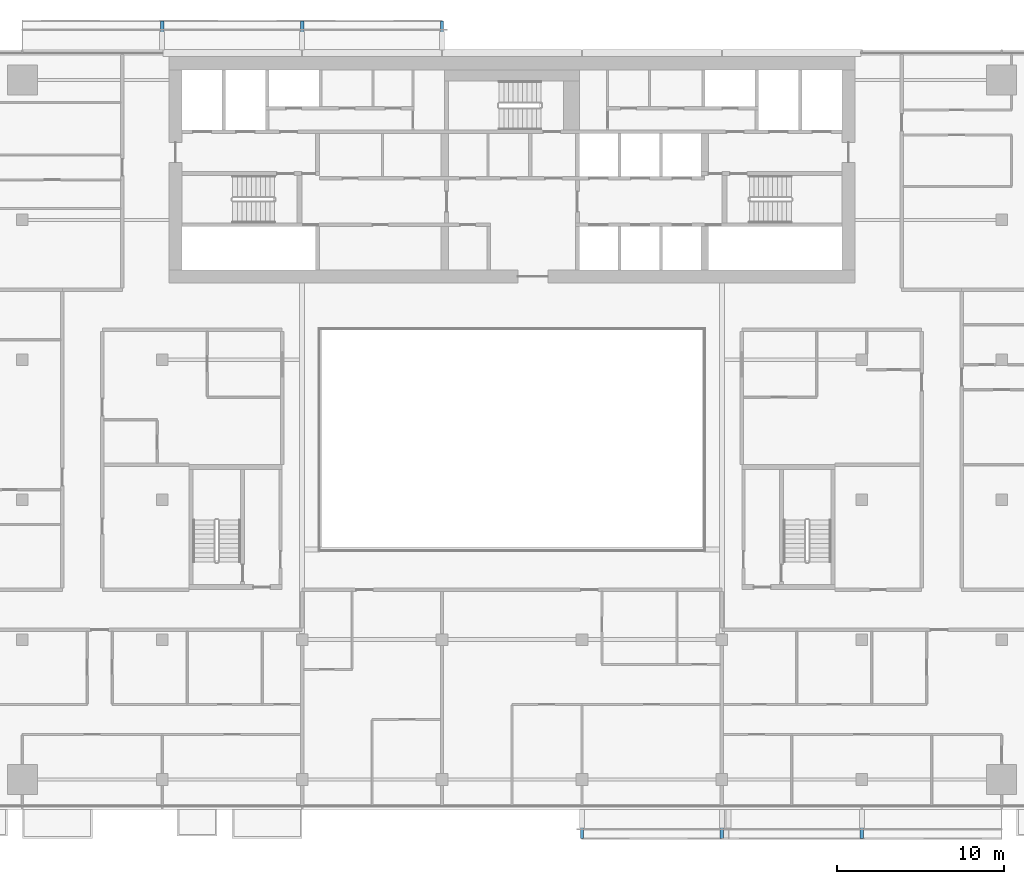
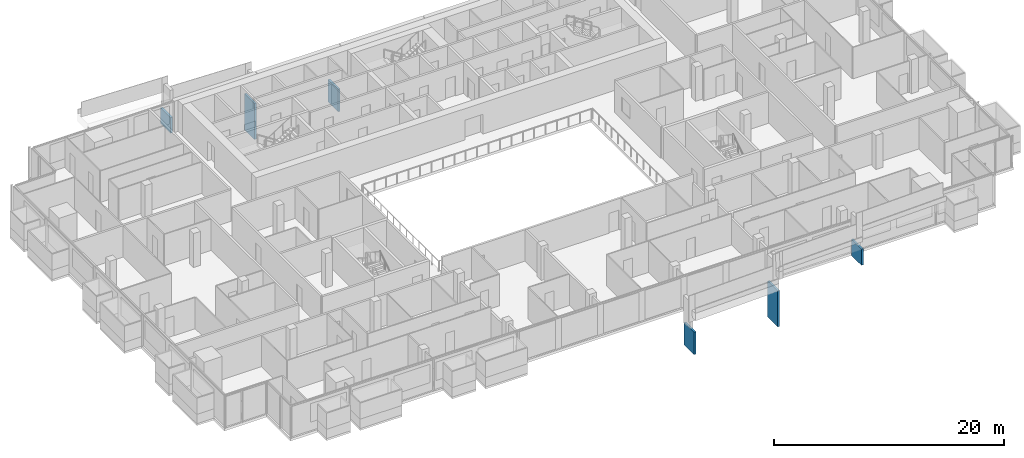
# One storey, part 25 of 28: 6 discrete accessories.
"""IFC4 building model written with IfcOpenShell, lengths in metres."""

from ifc_helpers import new_model, si_unit, direction, frame, origin, origin_2d, place, context, subcontext, project, spatial, rectangle, extrude, element, save


model = new_model("IFC4")

# Units and contexts
model_context = context("Model", 3, precision=1e-05, world=origin(), true_north=direction((0.0, 1.0)))
body_context = subcontext(model_context, "Body", "Model", "MODEL_VIEW")
ifc_project = project(units=[si_unit("LENGTHUNIT", "METRE"), si_unit("AREAUNIT", "SQUARE_METRE"), si_unit("VOLUMEUNIT", "CUBIC_METRE"), si_unit("PLANEANGLEUNIT", "RADIAN"), si_unit("MASSUNIT", "GRAM", prefix="KILO")], contexts=[model_context])

# Site, building, storey
site_placement = place(None, origin())
site = spatial("IfcSite", under=ifc_project, at=site_placement, CompositionType="ELEMENT")
building_placement = place(site_placement, origin())
building = spatial("IfcBuilding", under=site, at=building_placement, Name="Saffron Gate Tower", CompositionType="ELEMENT")
storey_placement = place(building_placement, frame((0.0, 0.0, 154.64990234375)))
storey = spatial("IfcBuildingStorey", under=building, at=storey_placement, Name="L37", CompositionType="ELEMENT", Elevation=154.64990234375)

# Discrete accessories
discrete_accessory_1_placement = place(storey_placement, frame((91.800048828125, 29.125, -3.8798828125), z_axis=(0.0, 0.0, 1.0), x_axis=(1.0, 0.0, 0.0)))
element("IfcDiscreteAccessory", 1, at=discrete_accessory_1_placement, inside=storey, Name="LEDGE rib", PredefinedType="BRACKET", context=body_context, shape_type="SweptSolid", body=[
    extrude(rectangle(XDim=0.199951171875, YDim=1.75, at=origin_2d()), origin(), (0.0, 0.0, 1.0), 2.379150390625),
])
discrete_accessory_2_placement = place(storey_placement, frame((100.199951171875, 29.125, -3.8798828125), z_axis=(0.0, 0.0, 1.0), x_axis=(1.0, 0.0, 0.0)))
element("IfcDiscreteAccessory", 2, at=discrete_accessory_2_placement, inside=storey, Name="LEDGE rib", PredefinedType="BRACKET", context=body_context, shape_type="SweptSolid", body=[
    extrude(rectangle(XDim=0.199951171875, YDim=1.75, at=origin_2d()), origin(), (0.0, 0.0, 1.0), 3.821533203125),
])
discrete_accessory_3_placement = place(storey_placement, frame((108.60009765625, 29.125, -0.27978515625), z_axis=(0.0, 0.0, 1.0), x_axis=(1.0, 0.0, 0.0)))
element("IfcDiscreteAccessory", 3, at=discrete_accessory_3_placement, inside=storey, Name="LEDGE rib", PredefinedType="BRACKET", context=body_context, shape_type="SweptSolid", body=[
    extrude(rectangle(XDim=0.199951171875, YDim=1.75, at=origin_2d()), origin(), (0.0, 0.0, 1.0), 1.720947265625),
])
discrete_accessory_4_placement = place(storey_placement, frame((83.39990234375, 76.47509765625, -3.8798828125), z_axis=(0.0, 0.0, 1.0), x_axis=(-1.0, 0.0, 0.0)))
element("IfcDiscreteAccessory", 4, at=discrete_accessory_4_placement, inside=storey, Name="LEDGE rib", PredefinedType="BRACKET", context=body_context, shape_type="SweptSolid", body=[
    extrude(rectangle(XDim=0.199951171875, YDim=1.75, at=origin_2d()), origin(), (0.0, 0.0, 1.0), 2.379150390625),
])
discrete_accessory_5_placement = place(storey_placement, frame((75.0, 76.47509765625, -3.8798828125), z_axis=(0.0, 0.0, 1.0), x_axis=(-1.0, 0.0, 0.0)))
element("IfcDiscreteAccessory", 5, at=discrete_accessory_5_placement, inside=storey, Name="LEDGE rib", PredefinedType="BRACKET", context=body_context, shape_type="SweptSolid", body=[
    extrude(rectangle(XDim=0.199951171875, YDim=1.75, at=origin_2d()), origin(), (0.0, 0.0, 1.0), 3.821533203125),
])
discrete_accessory_6_placement = place(storey_placement, frame((66.60009765625, 76.47509765625, -0.27978515625), z_axis=(0.0, 0.0, 1.0), x_axis=(-1.0, 0.0, 0.0)))
element("IfcDiscreteAccessory", 6, at=discrete_accessory_6_placement, inside=storey, Name="LEDGE rib", PredefinedType="BRACKET", context=body_context, shape_type="SweptSolid", body=[
    extrude(rectangle(XDim=0.199951171875, YDim=1.75, at=origin_2d()), origin(), (0.0, 0.0, 1.0), 1.663818359375),
])

save(model, "model.ifc")
